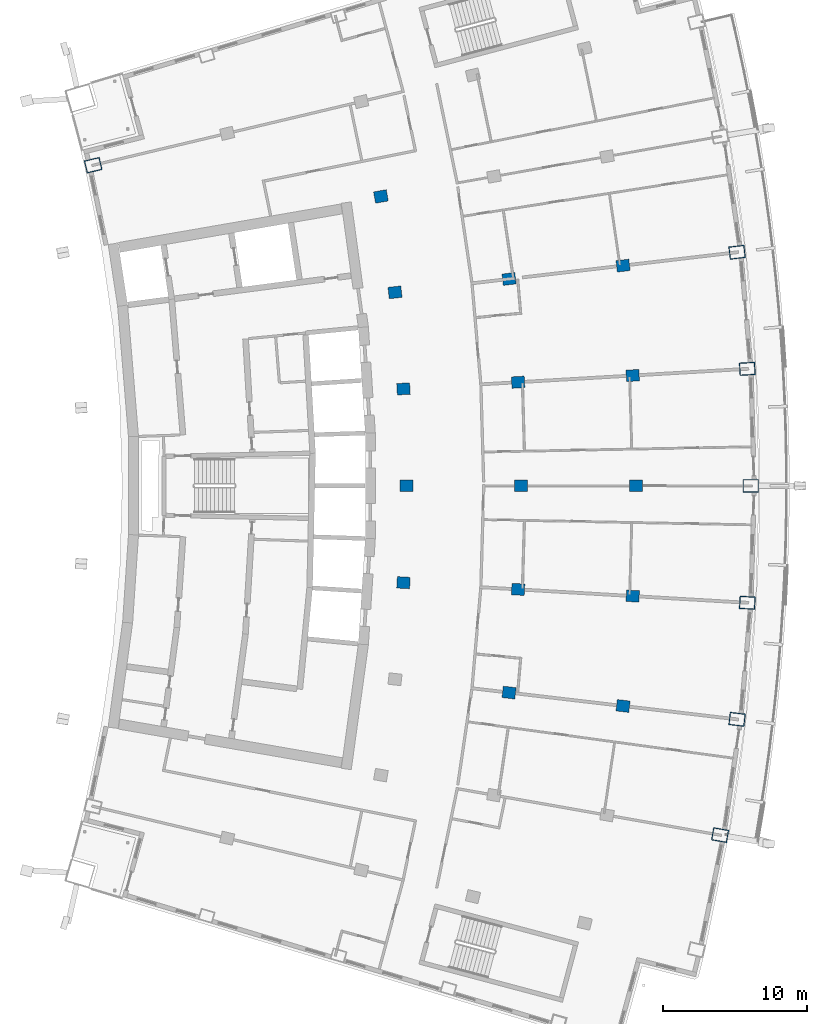
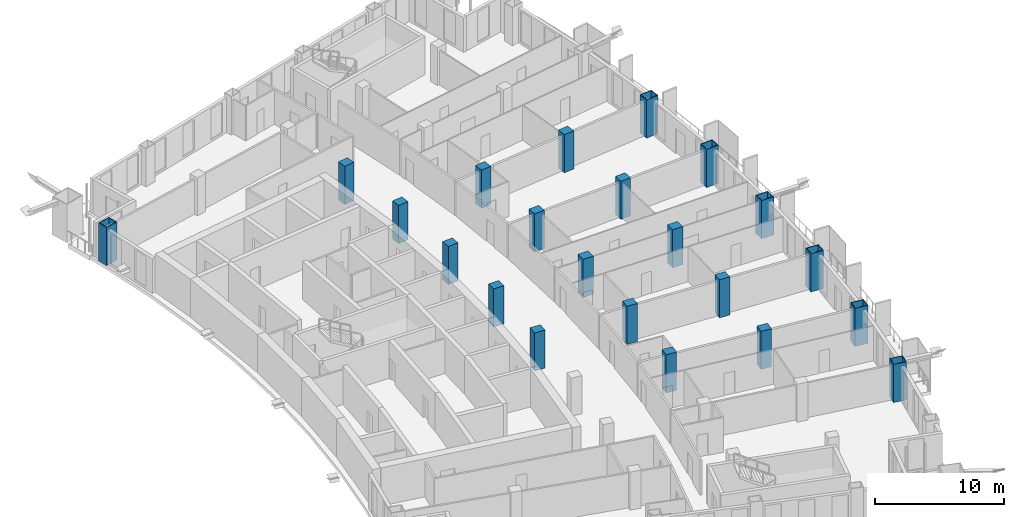
# One storey, part 6 of 22: 22 columns.
"""IFC4 building model written with IfcOpenShell, lengths in metres."""

from ifc_helpers import new_model, si_unit, direction, frame, origin, origin_2d, place, context, subcontext, project, spatial, rectangle, hollow_rectangle, extrude, material, material_profile, profile_set, type_object, element, save


model = new_model("IFC4")

# Units and contexts
model_context = context("Model", 3, precision=1e-05, world=origin(), true_north=direction((0.0, 1.0)))
body_context = subcontext(model_context, "Body", "Model", "MODEL_VIEW")
ifc_project = project(units=[si_unit("LENGTHUNIT", "METRE"), si_unit("AREAUNIT", "SQUARE_METRE"), si_unit("VOLUMEUNIT", "CUBIC_METRE"), si_unit("PLANEANGLEUNIT", "RADIAN"), si_unit("MASSUNIT", "GRAM", prefix="KILO")], contexts=[model_context])

# Site, building, storey
site_placement = place(None, origin())
site = spatial("IfcSite", under=ifc_project, at=site_placement, CompositionType="ELEMENT")
building_placement = place(site_placement, origin())
building = spatial("IfcBuilding", under=site, at=building_placement, Name="Alderwake Tower", CompositionType="ELEMENT")
storey_placement = place(building_placement, frame((0.0, 0.0, 156.800048828125)))
storey = spatial("IfcBuildingStorey", under=building, at=storey_placement, Name="L38", CompositionType="ELEMENT", Elevation=156.800048828125)

# Columns
ifc_material_1 = material(Name="Concrete C70/85", Category="concrete")
ifc_material_profile_1 = material_profile(ifc_material_1, rectangle(XDim=0.800048828125, YDim=0.89990234375, at=origin_2d()), Name="RC 900X800")
ifc_profile_set_1 = profile_set([ifc_material_profile_1], Name="Concrete C70/85")
column_type_1 = type_object("IfcColumnType", Name="Interior column Z3", PredefinedType="COLUMN", material=ifc_profile_set_1)
for number, where, z_axis, x_axis, name in (
    (1, (42.95849609375, 46.58935546875, 0.0), (0.0, 0.0, 1.0), (0.116402054316, 0.993202175668, 0.0), "Column R05-C3"),
    (2, (50.904052734375, 45.658203125, 0.0), (0.0, 0.0, 1.0), (0.116402054316, 0.993202175668, 0.0), "Column R05-C4"),
    (3, (35.60302734375, 54.248779296875, 0.0), (0.0, 0.0, 1.0), (0.058301061284, 0.998299046505, 0.0), "Column R06-C2"),
    (4, (43.58935546875, 53.782470703125, 0.0), (0.0, 0.0, 1.0), (0.058301061284, 0.998299046505, 0.0), "Column R06-C3"),
    (5, (51.57568359375, 53.31591796875, 0.0), (0.0, 0.0, 1.0), (0.058301061284, 0.998299046505, 0.0), "Column R06-C4"),
    (6, (35.800048828125, 61.0, 0.0), (0.0, 0.0, 1.0), (0.0, 1.0, 0.0), "Column R07-C2"),
    (7, (43.800048828125, 61.0, 0.0), (0.0, 0.0, 1.0), (0.0, 1.0, 0.0), "Column R07-C3"),
    (8, (51.800048828125, 61.0, 0.0), (0.0, 0.0, 1.0), (0.0, 1.0, 0.0), "Column R07-C4"),
    (9, (35.60302734375, 67.751220703125, 0.0), (0.0, 0.0, 1.0), (-0.058301061284, 0.998299046505, 0.0), "Column R08-C2"),
    (10, (43.58935546875, 68.217529296875, 0.0), (0.0, 0.0, 1.0), (-0.058301061284, 0.998299046505, 0.0), "Column R08-C3"),
    (11, (51.57568359375, 68.68408203125, 0.0), (0.0, 0.0, 1.0), (-0.058301061284, 0.998299046505, 0.0), "Column R08-C4"),
    (12, (35.0126953125, 74.4794921875, 0.0), (0.0, 0.0, 1.0), (-0.116402054316, 0.993202175668, 0.0), "Column R09-C2"),
    (13, (42.95849609375, 75.41064453125, 0.0), (0.0, 0.0, 1.0), (-0.116402054316, 0.993202175668, 0.0), "Column R09-C3"),
    (14, (50.904052734375, 76.341796875, 0.0), (0.0, 0.0, 1.0), (-0.116402054316, 0.993202175668, 0.0), "Column R09-C4"),
    (15, (34.03125, 81.16162109375, 0.0), (0.0, 0.0, 1.0), (-0.174108800747, 0.984726421654, 0.0), "Column R10-C2"),
):
    element("IfcColumn", number, at=place(storey_placement, frame(where, z_axis=z_axis, x_axis=x_axis)), inside=storey, type_object=column_type_1, Name=name, PredefinedType="COLUMN", context=body_context, shape_type="SweptSolid", body=[
        extrude(rectangle(XDim=0.800048828125, YDim=0.89990234375, at=origin_2d()), origin(), (0.0, 0.0, 1.0), 3.599853515625),
    ])
ifc_material_2 = material(Name="Steel ASTM A572 Grade 50 concrete filled C70/85", Category="concrete")
ifc_material_profile_2 = material_profile(ifc_material_2, hollow_rectangle(XDim=0.89990234375, YDim=1.10009765625, WallThickness=0.06005859375, at=origin_2d()), Name="BOX 1100X900X60")
ifc_profile_set_2 = profile_set([ifc_material_profile_2], Name="Steel ASTM A572 Grade 50 concrete filled C70/85")
column_type_2 = type_object("IfcColumnType", Name="Perimeter column Z3", PredefinedType="COLUMN", material=ifc_profile_set_2)
for number, where, z_axis, x_axis, name in (
    (16, (57.664794921875, 36.65966796875, 0.0), (0.0, 0.0, 1.0), (0.174108800747, 0.984726421654, 0.0), "Column R04-C5"),
    (17, (58.849609375, 44.72705078125, 0.0), (0.0, 0.0, 1.0), (0.116402054316, 0.993202175668, 0.0), "Column R05-C5"),
    (18, (59.562255859375, 52.849609375, 0.0), (0.0, 0.0, 1.0), (0.058301061284, 0.998299046505, 0.0), "Column R06-C5"),
    (19, (59.800048828125, 61.0, 0.0), (0.0, 0.0, 1.0), (0.0, 1.0, 0.0), "Column R07-C5"),
    (20, (59.562255859375, 69.150390625, 0.0), (0.0, 0.0, 1.0), (-0.058301061284, 0.998299046505, 0.0), "Column R08-C5"),
    (21, (58.849609375, 77.27294921875, 0.0), (0.0, 0.0, 1.0), (-0.116402054316, 0.993202175668, 0.0), "Column R09-C5"),
    (22, (13.982177734375, 83.3359375, 0.0), (0.0, 0.0, 1.0), (-0.231221547198, 0.972901123502, 0.0), "Column R11-C0"),
):
    element("IfcColumn", number, at=place(storey_placement, frame(where, z_axis=z_axis, x_axis=x_axis)), inside=storey, type_object=column_type_2, Name=name, PredefinedType="COLUMN", context=body_context, shape_type="SweptSolid", body=[
        extrude(hollow_rectangle(XDim=0.89990234375, YDim=1.10009765625, WallThickness=0.06005859375, at=origin_2d()), origin(), (0.0, 0.0, 1.0), 3.599853515625),
    ])

save(model, "model.ifc")
